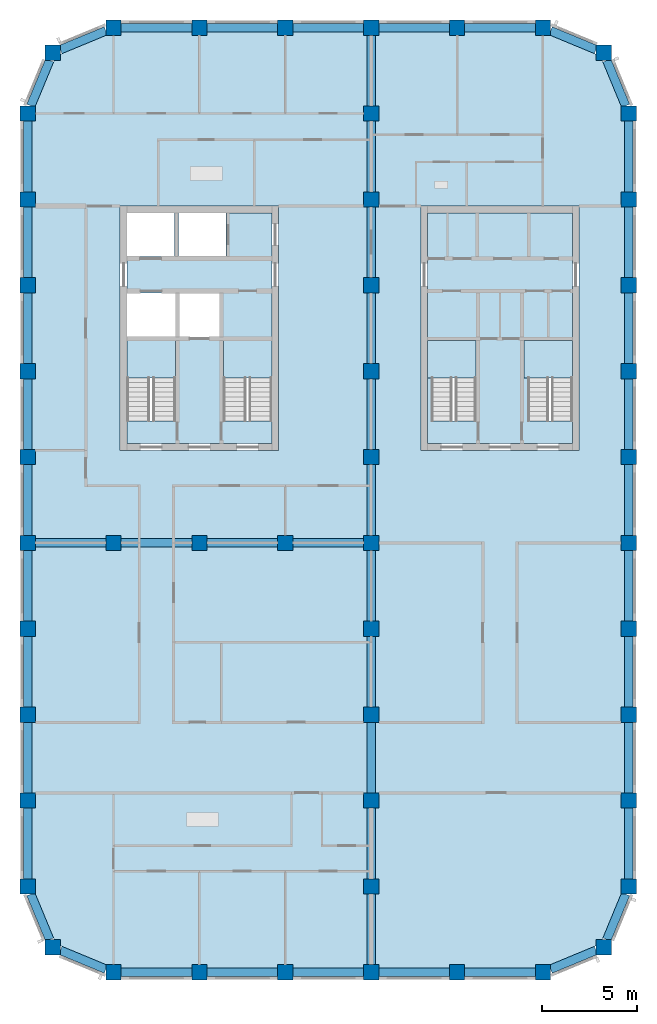
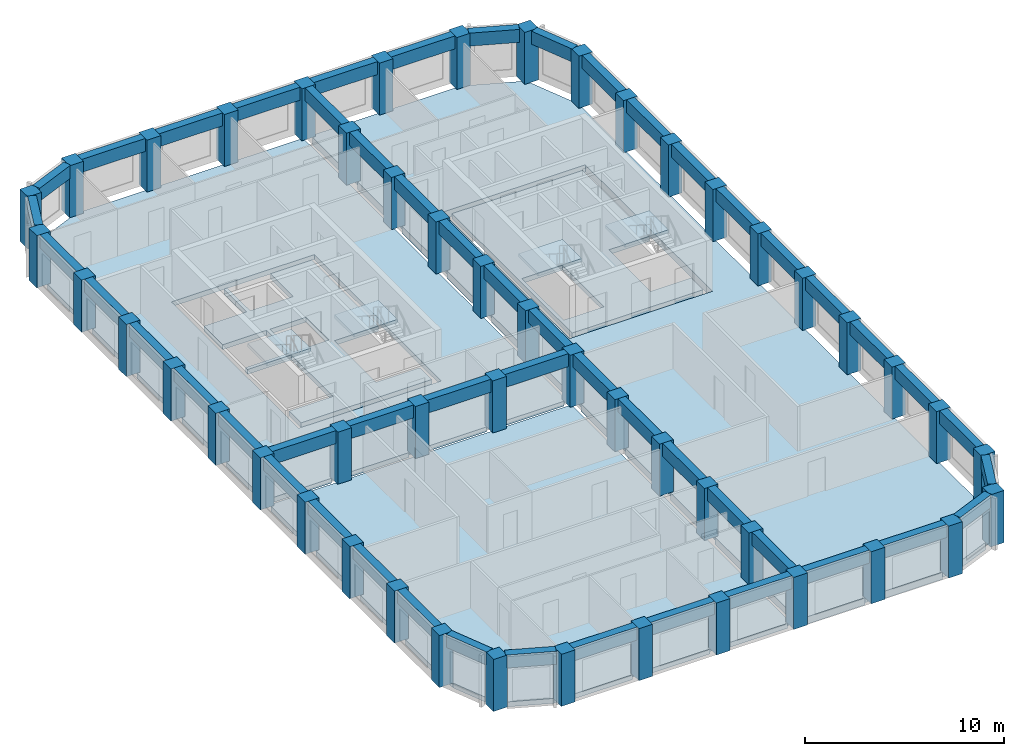
# One storey, part 1 of 9: 51 beams, 49 columns, 9 slabs, 4 elements without a shape of their own.
"""IFC4 building model written with IfcOpenShell, lengths in metres."""

from ifc_helpers import new_model, si_unit, direction, frame, origin, origin_2d, place, context, subcontext, project, spatial, polyline, rectangle, outline, extrude, material, layer, layer_set, material_profile, profile_set, type_object, element, aggregate, save


model = new_model("IFC4")

# Units and contexts
model_context = context("Model", 3, precision=1e-05, world=origin(), true_north=direction((0.0, 1.0)))
body_context = subcontext(model_context, "Body", "Model", "MODEL_VIEW")
ifc_project = project(units=[si_unit("LENGTHUNIT", "METRE"), si_unit("AREAUNIT", "SQUARE_METRE"), si_unit("VOLUMEUNIT", "CUBIC_METRE"), si_unit("PLANEANGLEUNIT", "RADIAN"), si_unit("MASSUNIT", "GRAM", prefix="KILO")], contexts=[model_context])

# Site, building, storey
site_placement = place(None, origin())
site = spatial("IfcSite", under=ifc_project, at=site_placement, CompositionType="ELEMENT")
building_placement = place(site_placement, origin())
building = spatial("IfcBuilding", under=site, at=building_placement, Name="Girih Gate Residences", CompositionType="ELEMENT")
storey_placement = place(building_placement, frame((0.0, 0.0, 182.699951171875)))
storey = spatial("IfcBuildingStorey", under=building, at=storey_placement, Name="L50", CompositionType="ELEMENT", Elevation=182.699951171875)

# Columns
ifc_material_1 = material(Name="Concrete C60/75", Category="concrete")
ifc_material_profile_1 = material_profile(ifc_material_1, rectangle(XDim=0.800048828125, YDim=0.800048828125, at=origin_2d()))
ifc_profile_set_1 = profile_set([ifc_material_profile_1], Name="Concrete C60/75")
column_type = type_object("IfcColumnType", Name="Pier RC 800x800 Concrete C60/75", PredefinedType="COLUMN", material=ifc_profile_set_1)
for number, where, z_axis, x_axis, name in (
    (1, (4.5, 0.0, 0.0), (0.0, 0.0, 1.0), (1.0, 0.0, 0.0), "Pier P2A L50"),
    (2, (9.0, 0.0, 0.0), (0.0, 0.0, 1.0), (1.0, 0.0, 0.0), "Pier P3A L50"),
    (3, (13.5, 0.0, 0.0), (0.0, 0.0, 1.0), (1.0, 0.0, 0.0), "Pier P4A L50"),
    (4, (18.0, 0.0, 0.0), (0.0, 0.0, 1.0), (1.0, 0.0, 0.0), "Pier P5A L50"),
    (5, (22.5, 0.0, 0.0), (0.0, 0.0, 1.0), (1.0, 0.0, 0.0), "Pier P6A L50"),
    (6, (27.0, 0.0, 0.0), (0.0, 0.0, 1.0), (1.0, 0.0, 0.0), "Pier P7A L50"),
    (7, (1.318115234375, 1.318115234375, 0.0), (0.0, 0.0, 1.0), (1.0, 0.0, 0.0), "Pier P1ANE L50"),
    (8, (30.181884765625, 1.318115234375, 0.0), (0.0, 0.0, 1.0), (1.0, 0.0, 0.0), "Pier P8ANW L50"),
    (9, (0.0, 4.5, 0.0), (0.0, 0.0, 1.0), (1.0, 0.0, 0.0), "Pier P1B L50"),
    (10, (18.0, 4.5, 0.0), (0.0, 0.0, 1.0), (1.0, 0.0, 0.0), "Pier P5B L50"),
    (11, (31.5, 4.5, 0.0), (0.0, 0.0, 1.0), (1.0, 0.0, 0.0), "Pier P8B L50"),
    (12, (0.0, 9.0, 0.0), (0.0, 0.0, 1.0), (1.0, 0.0, 0.0), "Pier P1C L50"),
    (13, (18.0, 9.0, 0.0), (0.0, 0.0, 1.0), (1.0, 0.0, 0.0), "Pier P5C L50"),
    (14, (31.5, 9.0, 0.0), (0.0, 0.0, 1.0), (1.0, 0.0, 0.0), "Pier P8C L50"),
    (15, (0.0, 13.5, 0.0), (0.0, 0.0, 1.0), (1.0, 0.0, 0.0), "Pier P1D L50"),
    (16, (18.0, 13.5, 0.0), (0.0, 0.0, 1.0), (1.0, 0.0, 0.0), "Pier P5D L50"),
    (17, (31.5, 13.5, 0.0), (0.0, 0.0, 1.0), (1.0, 0.0, 0.0), "Pier P8D L50"),
    (18, (0.0, 18.0, 0.0), (0.0, 0.0, 1.0), (1.0, 0.0, 0.0), "Pier P1E L50"),
    (19, (18.0, 18.0, 0.0), (0.0, 0.0, 1.0), (1.0, 0.0, 0.0), "Pier P5E L50"),
    (20, (31.5, 18.0, 0.0), (0.0, 0.0, 1.0), (1.0, 0.0, 0.0), "Pier P8E L50"),
    (21, (0.0, 22.5, 0.0), (0.0, 0.0, 1.0), (1.0, 0.0, 0.0), "Pier P1F L50"),
    (22, (4.5, 22.5, 0.0), (0.0, 0.0, 1.0), (1.0, 0.0, 0.0), "Pier P2F L50"),
    (23, (9.0, 22.5, 0.0), (0.0, 0.0, 1.0), (1.0, 0.0, 0.0), "Pier P3F L50"),
    (24, (13.5, 22.5, 0.0), (0.0, 0.0, 1.0), (1.0, 0.0, 0.0), "Pier P4F L50"),
    (25, (18.0, 22.5, 0.0), (0.0, 0.0, 1.0), (1.0, 0.0, 0.0), "Pier P5F L50"),
    (26, (31.5, 22.5, 0.0), (0.0, 0.0, 1.0), (1.0, 0.0, 0.0), "Pier P8F L50"),
    (27, (0.0, 27.0, 0.0), (0.0, 0.0, 1.0), (1.0, 0.0, 0.0), "Pier P1G L50"),
    (28, (18.0, 27.0, 0.0), (0.0, 0.0, 1.0), (1.0, 0.0, 0.0), "Pier P5G L50"),
    (29, (31.5, 27.0, 0.0), (0.0, 0.0, 1.0), (1.0, 0.0, 0.0), "Pier P8G L50"),
    (30, (0.0, 31.5, 0.0), (0.0, 0.0, 1.0), (1.0, 0.0, 0.0), "Pier P1H L50"),
    (31, (18.0, 31.5, 0.0), (0.0, 0.0, 1.0), (1.0, 0.0, 0.0), "Pier P5H L50"),
    (32, (31.5, 31.5, 0.0), (0.0, 0.0, 1.0), (1.0, 0.0, 0.0), "Pier P8H L50"),
    (33, (0.0, 36.0, 0.0), (0.0, 0.0, 1.0), (1.0, 0.0, 0.0), "Pier P1I L50"),
    (34, (18.0, 36.0, 0.0), (0.0, 0.0, 1.0), (1.0, 0.0, 0.0), "Pier P5I L50"),
    (35, (31.5, 36.0, 0.0), (0.0, 0.0, 1.0), (1.0, 0.0, 0.0), "Pier P8I L50"),
    (36, (0.0, 40.5, 0.0), (0.0, 0.0, 1.0), (1.0, 0.0, 0.0), "Pier P1J L50"),
    (37, (18.0, 40.5, 0.0), (0.0, 0.0, 1.0), (1.0, 0.0, 0.0), "Pier P5J L50"),
    (38, (31.5, 40.5, 0.0), (0.0, 0.0, 1.0), (1.0, 0.0, 0.0), "Pier P8J L50"),
    (39, (0.0, 45.0, 0.0), (0.0, 0.0, 1.0), (1.0, 0.0, 0.0), "Pier P1K L50"),
    (40, (18.0, 45.0, 0.0), (0.0, 0.0, 1.0), (1.0, 0.0, 0.0), "Pier P5K L50"),
    (41, (31.5, 45.0, 0.0), (0.0, 0.0, 1.0), (1.0, 0.0, 0.0), "Pier P8K L50"),
    (42, (1.318115234375, 48.181884765625, 0.0), (0.0, 0.0, 1.0), (1.0, 0.0, 0.0), "Pier P1LSE L50"),
    (43, (30.181884765625, 48.181884765625, 0.0), (0.0, 0.0, 1.0), (1.0, 0.0, 0.0), "Pier P8LSW L50"),
    (44, (4.5, 49.5, 0.0), (0.0, 0.0, 1.0), (1.0, 0.0, 0.0), "Pier P2L L50"),
    (45, (9.0, 49.5, 0.0), (0.0, 0.0, 1.0), (1.0, 0.0, 0.0), "Pier P3L L50"),
    (46, (13.5, 49.5, 0.0), (0.0, 0.0, 1.0), (1.0, 0.0, 0.0), "Pier P4L L50"),
    (47, (18.0, 49.5, 0.0), (0.0, 0.0, 1.0), (1.0, 0.0, 0.0), "Pier P5L L50"),
    (48, (22.5, 49.5, 0.0), (0.0, 0.0, 1.0), (1.0, 0.0, 0.0), "Pier P6L L50"),
    (49, (27.0, 49.5, 0.0), (0.0, 0.0, 1.0), (1.0, 0.0, 0.0), "Pier P7L L50"),
):
    element("IfcColumn", number, at=place(storey_placement, frame(where, z_axis=z_axis, x_axis=x_axis)), inside=storey, type_object=column_type, Name=name, PredefinedType="COLUMN", context=body_context, shape_type="SweptSolid", body=[
        extrude(rectangle(XDim=0.800048828125, YDim=0.800048828125, at=origin_2d()), origin(), (0.0, 0.0, 1.0), 3.199951171875),
    ])

# Beams
ifc_material_profile_2 = material_profile(ifc_material_1, rectangle(XDim=0.449951171875, YDim=0.800048828125, at=origin_2d()))
ifc_profile_set_2 = profile_set([ifc_material_profile_2], Name="Concrete C60/75")
beam_type = type_object("IfcBeamType", Name="Spandrel girder RC 450x800 Concrete C60/75", PredefinedType="BEAM", material=ifc_profile_set_2)
for number, where, z_axis, x_axis, name in (
    (50, (27.39990234375, 0.165771484375, 2.800048828125), (0.923895659062, 0.382644497107, 0.0), (-0.382644497107, 0.923895659062, 0.0), "Spandrel girder SP-P7A-P8ANW L50"),
    (51, (30.34765625, 1.718017578125, 2.800048828125), (0.382644497107, 0.923895659062, 0.0), (-0.923895659062, 0.382644497107, 0.0), "Spandrel girder SP-P8ANW-P8B L50"),
):
    element("IfcBeam", number, at=place(storey_placement, frame(where, z_axis=z_axis, x_axis=x_axis)), inside=storey, type_object=beam_type, Name=name, PredefinedType="BEAM", context=body_context, shape_type="SweptSolid", body=[
        extrude(rectangle(XDim=0.449951171875, YDim=0.800048828125, at=origin_2d()), origin(), (0.0, 0.0, 1.0), 2.578369140625),
    ])
for number, where, z_axis, x_axis, name in (
    (52, (31.5, 4.89990234375, 2.800048828125), (0.0, 1.0, 0.0), (-1.0, 0.0, 0.0), "Spandrel girder SP-P8B-P8C L50"),
    (53, (31.5, 9.39990234375, 2.800048828125), (0.0, 1.0, 0.0), (-1.0, 0.0, 0.0), "Spandrel girder SP-P8C-P8D L50"),
    (54, (31.5, 13.89990234375, 2.800048828125), (0.0, 1.0, 0.0), (-1.0, 0.0, 0.0), "Spandrel girder SP-P8D-P8E L50"),
    (55, (31.5, 18.39990234375, 2.800048828125), (0.0, 1.0, 0.0), (-1.0, 0.0, 0.0), "Spandrel girder SP-P8E-P8F L50"),
    (56, (31.5, 22.89990234375, 2.800048828125), (0.0, 1.0, 0.0), (-1.0, 0.0, 0.0), "Spandrel girder SP-P8F-P8G L50"),
    (57, (31.5, 27.39990234375, 2.800048828125), (0.0, 1.0, 0.0), (-1.0, 0.0, 0.0), "Spandrel girder SP-P8G-P8H L50"),
    (58, (31.5, 31.89990234375, 2.800048828125), (0.0, 1.0, 0.0), (-1.0, 0.0, 0.0), "Spandrel girder SP-P8H-P8I L50"),
    (59, (31.5, 36.39990234375, 2.800048828125), (0.0, 1.0, 0.0), (-1.0, 0.0, 0.0), "Spandrel girder SP-P8I-P8J L50"),
    (60, (31.5, 40.89990234375, 2.800048828125), (0.0, 1.0, 0.0), (-1.0, 0.0, 0.0), "Spandrel girder SP-P8J-P8K L50"),
):
    element("IfcBeam", number, at=place(storey_placement, frame(where, z_axis=z_axis, x_axis=x_axis)), inside=storey, type_object=beam_type, Name=name, PredefinedType="BEAM", context=body_context, shape_type="SweptSolid", body=[
        extrude(rectangle(XDim=0.449951171875, YDim=0.800048828125, at=origin_2d()), origin(), (0.0, 0.0, 1.0), 3.7001953125),
    ])
for number, where, z_axis, x_axis, name in (
    (61, (31.334228515625, 45.39990234375, 2.800048828125), (-0.382644497107, 0.923895659062, 0.0), (-0.923895659062, -0.382644497107, 0.0), "Spandrel girder SP-P8K-P8LSW L50"),
    (62, (29.781982421875, 48.34765625, 2.800048828125), (-0.923895659062, 0.382644497107, 0.0), (-0.382644497107, -0.923895659062, 0.0), "Spandrel girder SP-P8LSW-P7L L50"),
):
    element("IfcBeam", number, at=place(storey_placement, frame(where, z_axis=z_axis, x_axis=x_axis)), inside=storey, type_object=beam_type, Name=name, PredefinedType="BEAM", context=body_context, shape_type="SweptSolid", body=[
        extrude(rectangle(XDim=0.449951171875, YDim=0.800048828125, at=origin_2d()), origin(), (0.0, 0.0, 1.0), 2.578369140625),
    ])
for number, where, z_axis, x_axis, name in (
    (63, (26.60009765625, 49.5, 2.800048828125), (-1.0, 0.0, 0.0), (0.0, -1.0, 0.0), "Spandrel girder SP-P7L-P6L L50"),
    (64, (22.10009765625, 49.5, 2.800048828125), (-1.0, 0.0, 0.0), (0.0, -1.0, 0.0), "Spandrel girder SP-P6L-P5L L50"),
    (65, (17.60009765625, 49.5, 2.800048828125), (-1.0, 0.0, 0.0), (0.0, -1.0, 0.0), "Spandrel girder SP-P5L-P4L L50"),
    (66, (13.10009765625, 49.5, 2.800048828125), (-1.0, 0.0, 0.0), (0.0, -1.0, 0.0), "Spandrel girder SP-P4L-P3L L50"),
    (67, (8.60009765625, 49.5, 2.800048828125), (-1.0, 0.0, 0.0), (0.0, -1.0, 0.0), "Spandrel girder SP-P3L-P2L L50"),
):
    element("IfcBeam", number, at=place(storey_placement, frame(where, z_axis=z_axis, x_axis=x_axis)), inside=storey, type_object=beam_type, Name=name, PredefinedType="BEAM", context=body_context, shape_type="SweptSolid", body=[
        extrude(rectangle(XDim=0.449951171875, YDim=0.800048828125, at=origin_2d()), origin(), (0.0, 0.0, 1.0), 3.7001953125),
    ])
for number, where, z_axis, x_axis, name in (
    (68, (4.10009765625, 49.334228515625, 2.800048828125), (-0.923895659062, -0.382644497107, 0.0), (0.382644497107, -0.923895659062, 0.0), "Spandrel girder SP-P2L-P1LSE L50"),
    (69, (1.15234375, 47.781982421875, 2.800048828125), (-0.382644497107, -0.923895659062, 0.0), (0.923895659062, -0.382644497107, 0.0), "Spandrel girder SP-P1LSE-P1K L50"),
):
    element("IfcBeam", number, at=place(storey_placement, frame(where, z_axis=z_axis, x_axis=x_axis)), inside=storey, type_object=beam_type, Name=name, PredefinedType="BEAM", context=body_context, shape_type="SweptSolid", body=[
        extrude(rectangle(XDim=0.449951171875, YDim=0.800048828125, at=origin_2d()), origin(), (0.0, 0.0, 1.0), 2.578369140625),
    ])
for number, where, z_axis, x_axis, name in (
    (70, (0.0, 44.60009765625, 2.800048828125), (0.0, -1.0, 0.0), (1.0, 0.0, 0.0), "Spandrel girder SP-P1K-P1J L50"),
    (71, (0.0, 40.10009765625, 2.800048828125), (0.0, -1.0, 0.0), (1.0, 0.0, 0.0), "Spandrel girder SP-P1J-P1I L50"),
    (72, (0.0, 35.60009765625, 2.800048828125), (0.0, -1.0, 0.0), (1.0, 0.0, 0.0), "Spandrel girder SP-P1I-P1H L50"),
    (73, (0.0, 31.10009765625, 2.800048828125), (0.0, -1.0, 0.0), (1.0, 0.0, 0.0), "Spandrel girder SP-P1H-P1G L50"),
    (74, (0.0, 26.60009765625, 2.800048828125), (0.0, -1.0, 0.0), (1.0, 0.0, 0.0), "Spandrel girder SP-P1G-P1F L50"),
    (75, (0.0, 22.10009765625, 2.800048828125), (0.0, -1.0, 0.0), (1.0, 0.0, 0.0), "Spandrel girder SP-P1F-P1E L50"),
    (76, (0.0, 17.60009765625, 2.800048828125), (0.0, -1.0, 0.0), (1.0, 0.0, 0.0), "Spandrel girder SP-P1E-P1D L50"),
    (77, (0.0, 13.10009765625, 2.800048828125), (0.0, -1.0, 0.0), (1.0, 0.0, 0.0), "Spandrel girder SP-P1D-P1C L50"),
    (78, (0.0, 8.60009765625, 2.800048828125), (0.0, -1.0, 0.0), (1.0, 0.0, 0.0), "Spandrel girder SP-P1C-P1B L50"),
):
    element("IfcBeam", number, at=place(storey_placement, frame(where, z_axis=z_axis, x_axis=x_axis)), inside=storey, type_object=beam_type, Name=name, PredefinedType="BEAM", context=body_context, shape_type="SweptSolid", body=[
        extrude(rectangle(XDim=0.449951171875, YDim=0.800048828125, at=origin_2d()), origin(), (0.0, 0.0, 1.0), 3.7001953125),
    ])
for number, where, z_axis, x_axis, name in (
    (79, (0.165771484375, 4.10009765625, 2.800048828125), (0.382644497107, -0.923895659062, 0.0), (0.923895659062, 0.382644497107, 0.0), "Spandrel girder SP-P1B-P1ANE L50"),
    (80, (1.718017578125, 1.15234375, 2.800048828125), (0.923895659062, -0.382644497107, 0.0), (0.382644497107, 0.923895659062, 0.0), "Spandrel girder SP-P1ANE-P2A L50"),
):
    element("IfcBeam", number, at=place(storey_placement, frame(where, z_axis=z_axis, x_axis=x_axis)), inside=storey, type_object=beam_type, Name=name, PredefinedType="BEAM", context=body_context, shape_type="SweptSolid", body=[
        extrude(rectangle(XDim=0.449951171875, YDim=0.800048828125, at=origin_2d()), origin(), (0.0, 0.0, 1.0), 2.578369140625),
    ])
for number, where, z_axis, x_axis, name in (
    (81, (4.89990234375, 0.0, 2.800048828125), (1.0, 0.0, 0.0), (0.0, 1.0, 0.0), "Spandrel girder SP-P2A-P3A L50"),
    (82, (9.39990234375, 0.0, 2.800048828125), (1.0, 0.0, 0.0), (0.0, 1.0, 0.0), "Spandrel girder SP-P3A-P4A L50"),
    (83, (13.89990234375, 0.0, 2.800048828125), (1.0, 0.0, 0.0), (0.0, 1.0, 0.0), "Spandrel girder SP-P4A-P5A L50"),
    (84, (18.39990234375, 0.0, 2.800048828125), (1.0, 0.0, 0.0), (0.0, 1.0, 0.0), "Spandrel girder SP-P5A-P6A L50"),
    (85, (22.89990234375, 0.0, 2.800048828125), (1.0, 0.0, 0.0), (0.0, 1.0, 0.0), "Spandrel girder SP-P6A-P7A L50"),
    (86, (18.0, 0.39990234375, 2.800048828125), (0.0, 1.0, 0.0), (-1.0, 0.0, 0.0), "Spandrel girder SP-P5A-P5B L50"),
    (87, (18.0, 4.89990234375, 2.800048828125), (0.0, 1.0, 0.0), (-1.0, 0.0, 0.0), "Spandrel girder SP-P5B-P5C L50"),
    (88, (18.0, 9.39990234375, 2.800048828125), (0.0, 1.0, 0.0), (-1.0, 0.0, 0.0), "Spandrel girder SP-P5C-P5D L50"),
    (89, (18.0, 13.89990234375, 2.800048828125), (0.0, 1.0, 0.0), (-1.0, 0.0, 0.0), "Spandrel girder SP-P5D-P5E L50"),
    (90, (18.0, 18.39990234375, 2.800048828125), (0.0, 1.0, 0.0), (-1.0, 0.0, 0.0), "Spandrel girder SP-P5E-P5F L50"),
    (91, (18.0, 22.89990234375, 2.800048828125), (0.0, 1.0, 0.0), (-1.0, 0.0, 0.0), "Spandrel girder SP-P5F-P5G L50"),
    (92, (18.0, 27.39990234375, 2.800048828125), (0.0, 1.0, 0.0), (-1.0, 0.0, 0.0), "Spandrel girder SP-P5G-P5H L50"),
    (93, (18.0, 31.89990234375, 2.800048828125), (0.0, 1.0, 0.0), (-1.0, 0.0, 0.0), "Spandrel girder SP-P5H-P5I L50"),
    (94, (18.0, 36.39990234375, 2.800048828125), (0.0, 1.0, 0.0), (-1.0, 0.0, 0.0), "Spandrel girder SP-P5I-P5J L50"),
    (95, (18.0, 40.89990234375, 2.800048828125), (0.0, 1.0, 0.0), (-1.0, 0.0, 0.0), "Spandrel girder SP-P5J-P5K L50"),
    (96, (18.0, 45.39990234375, 2.800048828125), (0.0, 1.0, 0.0), (-1.0, 0.0, 0.0), "Spandrel girder SP-P5K-P5L L50"),
    (97, (0.39990234375, 22.5, 2.800048828125), (1.0, 0.0, 0.0), (0.0, 1.0, 0.0), "Spandrel girder SP-P1F-P2F L50"),
    (98, (4.89990234375, 22.5, 2.800048828125), (1.0, 0.0, 0.0), (0.0, 1.0, 0.0), "Spandrel girder SP-P2F-P3F L50"),
    (99, (9.39990234375, 22.5, 2.800048828125), (1.0, 0.0, 0.0), (0.0, 1.0, 0.0), "Spandrel girder SP-P3F-P4F L50"),
    (100, (13.89990234375, 22.5, 2.800048828125), (1.0, 0.0, 0.0), (0.0, 1.0, 0.0), "Spandrel girder SP-P4F-P5F L50"),
):
    element("IfcBeam", number, at=place(storey_placement, frame(where, z_axis=z_axis, x_axis=x_axis)), inside=storey, type_object=beam_type, Name=name, PredefinedType="BEAM", context=body_context, shape_type="SweptSolid", body=[
        extrude(rectangle(XDim=0.449951171875, YDim=0.800048828125, at=origin_2d()), origin(), (0.0, 0.0, 1.0), 3.7001953125),
    ])

# Slabs
ifc_material_2 = material(Name="Concrete C40/50", Category="concrete")
ifc_layer_1 = layer(ifc_material_2, 0.300048828125)
ifc_layer_set_1 = layer_set([ifc_layer_1], Name="Core floor slab 300")
slab_type_1 = type_object("IfcSlabType", Name="Core floor slab 300", PredefinedType="FLOOR", material=ifc_layer_set_1)
slab_1_placement = place(storey_placement, frame((0.0, 0.0, -0.300048828125)))
element("IfcSlab", 101, at=slab_1_placement, inside=storey, type_object=slab_type_1, Name="L50 W core floor", PredefinedType="FLOOR", context=body_context, shape_type="SweptSolid", body=[
    extrude(outline(polyline([(12.800048828125, 27.699951171875), (5.199951171875, 27.699951171875), (5.199951171875, 28.900634765625), (7.75, 28.900634765625), (7.75, 33.10009765625), (5.199951171875, 33.10009765625), (5.199951171875, 33.300048828125), (7.75, 33.300048828125), (7.75, 35.60009765625), (5.199951171875, 35.60009765625), (5.199951171875, 37.5), (7.699951171875, 37.5), (7.699951171875, 39.800048828125), (7.89990234375, 39.800048828125), (7.89990234375, 37.5), (10.39990234375, 37.5), (10.39990234375, 39.800048828125), (12.800048828125, 39.800048828125), (12.800048828125, 33.10009765625), (10.25, 33.10009765625), (10.25, 28.900634765625), (12.800048828125, 28.900634765625), (12.800048828125, 27.699951171875)]), holes=[polyline([(7.949951171875, 33.300048828125), (10.050048828125, 33.300048828125), (10.050048828125, 35.60009765625), (7.949951171875, 35.60009765625), (7.949951171875, 33.300048828125)])]), origin(), (0.0, 0.0, 1.0), 0.300048828125),
])
slab_2_placement = place(storey_placement, frame((0.0, 0.0, -0.300048828125)))
element("IfcSlab", 102, at=slab_2_placement, inside=storey, type_object=slab_type_1, Name="L50 C core floor", PredefinedType="FLOOR", context=body_context, shape_type="SweptSolid", body=[
    extrude(outline(polyline([(28.550048828125, 27.699951171875), (20.949951171875, 27.699951171875), (20.949951171875, 39.800048828125), (28.550048828125, 39.800048828125), (28.550048828125, 33.10009765625), (26.199951171875, 33.10009765625), (26.199951171875, 28.900634765625), (28.550048828125, 28.900634765625), (28.550048828125, 27.699951171875)]), holes=[polyline([(23.5, 28.900634765625), (23.5, 33.10009765625), (21.14990234375, 33.10009765625), (21.14990234375, 28.900634765625), (23.5, 28.900634765625)])]), origin(), (0.0, 0.0, 1.0), 0.300048828125),
])
ifc_layer_2 = layer(ifc_material_2, 0.300048828125)
ifc_layer_set_2 = layer_set([ifc_layer_2], Name="Floor slab PT 300 Concrete C40/50")
slab_type_2 = type_object("IfcSlabType", Name="Floor slab PT 300 Concrete C40/50", PredefinedType="FLOOR", material=ifc_layer_set_2)
slab_3_placement = place(storey_placement, frame((0.0, 0.0, -0.300048828125)))
element("IfcSlab", 103, at=slab_3_placement, inside=storey, type_object=slab_type_2, Name="Floor slab L50 0", PredefinedType="FLOOR", context=body_context, shape_type="SweptSolid", body=[
    extrude(outline(polyline([(13.89990234375, 0.22509765625), (17.60009765625, 0.22509765625), (17.60009765625, 0.39990234375), (17.77490234375, 0.39990234375), (17.77490234375, 4.10009765625), (17.60009765625, 4.10009765625), (17.60009765625, 4.89990234375), (17.77490234375, 4.89990234375), (17.77490234375, 8.60009765625), (17.60009765625, 8.60009765625), (17.60009765625, 9.39990234375), (17.77490234375, 9.39990234375), (17.77490234375, 13.10009765625), (17.60009765625, 13.10009765625), (17.60009765625, 13.89990234375), (17.77490234375, 13.89990234375), (17.77490234375, 17.60009765625), (17.60009765625, 17.60009765625), (17.60009765625, 18.39990234375), (17.77490234375, 18.39990234375), (17.77490234375, 22.10009765625), (17.60009765625, 22.10009765625), (17.60009765625, 22.27490234375), (13.89990234375, 22.27490234375), (13.89990234375, 22.10009765625), (13.10009765625, 22.10009765625), (13.10009765625, 22.27490234375), (9.39990234375, 22.27490234375), (9.39990234375, 22.10009765625), (8.60009765625, 22.10009765625), (8.60009765625, 22.27490234375), (4.89990234375, 22.27490234375), (4.89990234375, 22.10009765625), (4.10009765625, 22.10009765625), (4.10009765625, 22.27490234375), (0.39990234375, 22.27490234375), (0.39990234375, 22.10009765625), (0.22509765625, 22.10009765625), (0.22509765625, 18.39990234375), (0.39990234375, 18.39990234375), (0.39990234375, 17.60009765625), (0.22509765625, 17.60009765625), (0.22509765625, 13.89990234375), (0.39990234375, 13.89990234375), (0.39990234375, 13.10009765625), (0.22509765625, 13.10009765625), (0.22509765625, 9.39990234375), (0.39990234375, 9.39990234375), (0.39990234375, 8.60009765625), (0.22509765625, 8.60009765625), (0.22509765625, 4.89990234375), (0.39990234375, 4.89990234375), (0.39990234375, 4.122314453125), (1.395751953125, 1.718017578125), (1.718017578125, 1.718017578125), (1.718017578125, 1.395751953125), (4.122314453125, 0.39990234375), (4.89990234375, 0.39990234375), (4.89990234375, 0.22509765625), (8.60009765625, 0.22509765625), (8.60009765625, 0.39990234375), (9.39990234375, 0.39990234375), (9.39990234375, 0.22509765625), (13.10009765625, 0.22509765625), (13.10009765625, 0.39990234375), (13.89990234375, 0.39990234375), (13.89990234375, 0.22509765625)])), origin(), (0.0, 0.0, 1.0), 0.300048828125),
])
slab_4_placement = place(storey_placement, frame((0.0, 0.0, -0.300048828125)))
element("IfcSlab", 104, at=slab_4_placement, inside=storey, type_object=slab_type_2, Name="Floor slab L50 2", PredefinedType="FLOOR", context=body_context, shape_type="SweptSolid", body=[
    extrude(outline(polyline([(0.22509765625, 26.60009765625), (0.22509765625, 22.89990234375), (0.39990234375, 22.89990234375), (0.39990234375, 22.72509765625), (4.10009765625, 22.72509765625), (4.10009765625, 22.89990234375), (4.89990234375, 22.89990234375), (4.89990234375, 22.72509765625), (8.60009765625, 22.72509765625), (8.60009765625, 22.89990234375), (9.39990234375, 22.89990234375), (9.39990234375, 22.72509765625), (13.10009765625, 22.72509765625), (13.10009765625, 22.89990234375), (13.89990234375, 22.89990234375), (13.89990234375, 22.72509765625), (17.60009765625, 22.72509765625), (17.60009765625, 22.89990234375), (17.77490234375, 22.89990234375), (17.77490234375, 26.60009765625), (17.60009765625, 26.60009765625), (17.60009765625, 27.39990234375), (17.77490234375, 27.39990234375), (17.77490234375, 31.10009765625), (17.60009765625, 31.10009765625), (17.60009765625, 31.89990234375), (17.77490234375, 31.89990234375), (17.77490234375, 35.60009765625), (17.60009765625, 35.60009765625), (17.60009765625, 36.39990234375), (17.77490234375, 36.39990234375), (17.77490234375, 40.10009765625), (17.60009765625, 40.10009765625), (17.60009765625, 40.89990234375), (17.77490234375, 40.89990234375), (17.77490234375, 44.60009765625), (17.60009765625, 44.60009765625), (17.60009765625, 45.39990234375), (17.77490234375, 45.39990234375), (17.77490234375, 49.10009765625), (17.60009765625, 49.10009765625), (17.60009765625, 49.27490234375), (13.89990234375, 49.27490234375), (13.89990234375, 49.10009765625), (13.10009765625, 49.10009765625), (13.10009765625, 49.27490234375), (9.39990234375, 49.27490234375), (9.39990234375, 49.10009765625), (8.60009765625, 49.10009765625), (8.60009765625, 49.27490234375), (4.89990234375, 49.27490234375), (4.89990234375, 49.10009765625), (4.122314453125, 49.10009765625), (1.718017578125, 48.104248046875), (1.718017578125, 47.781982421875), (1.395751953125, 47.781982421875), (0.39990234375, 45.377685546875), (0.39990234375, 44.60009765625), (0.22509765625, 44.60009765625), (0.22509765625, 40.89990234375), (0.39990234375, 40.89990234375), (0.39990234375, 40.10009765625), (0.22509765625, 40.10009765625), (0.22509765625, 36.39990234375), (0.39990234375, 36.39990234375), (0.39990234375, 35.60009765625), (0.22509765625, 35.60009765625), (0.22509765625, 31.89990234375), (0.39990234375, 31.89990234375), (0.39990234375, 31.10009765625), (0.22509765625, 31.10009765625), (0.22509765625, 27.39990234375), (0.39990234375, 27.39990234375), (0.39990234375, 26.60009765625), (0.22509765625, 26.60009765625)]), holes=[polyline([(13.14990234375, 40.14990234375), (13.14990234375, 27.35009765625), (4.85009765625, 27.35009765625), (4.85009765625, 40.14990234375), (13.14990234375, 40.14990234375)])]), origin(), (0.0, 0.0, 1.0), 0.300048828125),
])
ifc_layer_3 = layer(ifc_material_2, 0.449951171875)
ifc_layer_set_3 = layer_set([ifc_layer_3], Name="Floor slab PT 450 Concrete C40/50")
slab_type_3 = type_object("IfcSlabType", Name="Floor slab PT 450 Concrete C40/50", PredefinedType="FLOOR", material=ifc_layer_set_3)
slab_5_placement = place(storey_placement, frame((0.0, 0.0, -0.449951171875)))
element("IfcSlab", 105, at=slab_5_placement, inside=storey, type_object=slab_type_3, Name="Floor slab L50 1", PredefinedType="FLOOR", context=body_context, shape_type="SweptSolid", body=[
    extrude(outline(polyline([(22.89990234375, 0.22509765625), (26.60009765625, 0.22509765625), (26.60009765625, 0.39990234375), (27.377685546875, 0.39990234375), (29.781982421875, 1.395751953125), (29.781982421875, 1.718017578125), (30.104248046875, 1.718017578125), (31.10009765625, 4.122314453125), (31.10009765625, 4.89990234375), (31.27490234375, 4.89990234375), (31.27490234375, 8.60009765625), (31.10009765625, 8.60009765625), (31.10009765625, 9.39990234375), (31.27490234375, 9.39990234375), (31.27490234375, 13.10009765625), (31.10009765625, 13.10009765625), (31.10009765625, 13.89990234375), (31.27490234375, 13.89990234375), (31.27490234375, 17.60009765625), (31.10009765625, 17.60009765625), (31.10009765625, 18.39990234375), (31.27490234375, 18.39990234375), (31.27490234375, 22.10009765625), (31.10009765625, 22.10009765625), (31.10009765625, 22.89990234375), (31.27490234375, 22.89990234375), (31.27490234375, 26.60009765625), (31.10009765625, 26.60009765625), (31.10009765625, 27.39990234375), (31.27490234375, 27.39990234375), (31.27490234375, 31.10009765625), (31.10009765625, 31.10009765625), (31.10009765625, 31.89990234375), (31.27490234375, 31.89990234375), (31.27490234375, 35.60009765625), (31.10009765625, 35.60009765625), (31.10009765625, 36.39990234375), (31.27490234375, 36.39990234375), (31.27490234375, 40.10009765625), (31.10009765625, 40.10009765625), (31.10009765625, 40.89990234375), (31.27490234375, 40.89990234375), (31.27490234375, 44.60009765625), (31.10009765625, 44.60009765625), (31.10009765625, 45.377685546875), (30.104248046875, 47.781982421875), (29.781982421875, 47.781982421875), (29.781982421875, 48.104248046875), (27.377685546875, 49.10009765625), (26.60009765625, 49.10009765625), (26.60009765625, 49.27490234375), (22.89990234375, 49.27490234375), (22.89990234375, 49.10009765625), (22.10009765625, 49.10009765625), (22.10009765625, 49.27490234375), (18.39990234375, 49.27490234375), (18.39990234375, 49.10009765625), (18.22509765625, 49.10009765625), (18.22509765625, 45.39990234375), (18.39990234375, 45.39990234375), (18.39990234375, 44.60009765625), (18.22509765625, 44.60009765625), (18.22509765625, 40.89990234375), (18.39990234375, 40.89990234375), (18.39990234375, 40.10009765625), (18.22509765625, 40.10009765625), (18.22509765625, 36.39990234375), (18.39990234375, 36.39990234375), (18.39990234375, 35.60009765625), (18.22509765625, 35.60009765625), (18.22509765625, 31.89990234375), (18.39990234375, 31.89990234375), (18.39990234375, 31.10009765625), (18.22509765625, 31.10009765625), (18.22509765625, 27.39990234375), (18.39990234375, 27.39990234375), (18.39990234375, 26.60009765625), (18.22509765625, 26.60009765625), (18.22509765625, 22.89990234375), (18.39990234375, 22.89990234375), (18.39990234375, 22.10009765625), (18.22509765625, 22.10009765625), (18.22509765625, 18.39990234375), (18.39990234375, 18.39990234375), (18.39990234375, 17.60009765625), (18.22509765625, 17.60009765625), (18.22509765625, 13.89990234375), (18.39990234375, 13.89990234375), (18.39990234375, 13.10009765625), (18.22509765625, 13.10009765625), (18.22509765625, 9.39990234375), (18.39990234375, 9.39990234375), (18.39990234375, 8.60009765625), (18.22509765625, 8.60009765625), (18.22509765625, 4.89990234375), (18.39990234375, 4.89990234375), (18.39990234375, 4.10009765625), (18.22509765625, 4.10009765625), (18.22509765625, 0.39990234375), (18.39990234375, 0.39990234375), (18.39990234375, 0.22509765625), (22.10009765625, 0.22509765625), (22.10009765625, 0.39990234375), (22.89990234375, 0.39990234375), (22.89990234375, 0.22509765625)]), holes=[polyline([(28.89990234375, 40.14990234375), (28.89990234375, 27.35009765625), (20.60009765625, 27.35009765625), (20.60009765625, 40.14990234375), (28.89990234375, 40.14990234375)])]), origin(), (0.0, 0.0, 1.0), 0.449951171875),
])

# Stair, slab
stair_type_1 = type_object("IfcStairType", Name="Exit stair", PredefinedType="HALF_TURN_STAIR", material=ifc_material_2)
stair_1_placement = place(storey_placement, origin())
stair_1 = element("IfcStair", 106, at=stair_1_placement, inside=storey, type_object=stair_type_1, Name="L50 Exit Stair ST-W1", PredefinedType="HALF_TURN_STAIR")
ifc_layer_4 = layer(ifc_material_2, 0.199951171875)
ifc_layer_set_4 = layer_set([ifc_layer_4], Name="Stair landing 200")
slab_type_4 = type_object("IfcSlabType", Name="Stair landing 200", PredefinedType="LANDING", material=ifc_layer_set_4)
slab_6_placement = place(storey_placement, frame((0.0, 0.0, 1.400146484375)))
slab_6 = element("IfcSlab", 107, at=slab_6_placement, type_object=slab_type_4, Name="ST-W1 landing 1", PredefinedType="LANDING", context=body_context, shape_type="SweptSolid", body=[
    extrude(outline(polyline([(7.75, 31.14990234375), (7.75, 33.10009765625), (5.199951171875, 33.10009765625), (5.199951171875, 31.14990234375), (7.75, 31.14990234375)])), origin(), (0.0, 0.0, 1.0), 0.199951171875),
])
aggregate(stair_1, [slab_6])

stair_2_placement = place(storey_placement, origin())
stair_2 = element("IfcStair", 108, at=stair_2_placement, inside=storey, type_object=stair_type_1, Name="L50 Exit Stair ST-W2", PredefinedType="HALF_TURN_STAIR")
slab_7_placement = place(storey_placement, frame((0.0, 0.0, 1.400146484375)))
slab_7 = element("IfcSlab", 109, at=slab_7_placement, type_object=slab_type_4, Name="ST-W2 landing 1", PredefinedType="LANDING", context=body_context, shape_type="SweptSolid", body=[
    extrude(outline(polyline([(12.800048828125, 31.14990234375), (12.800048828125, 33.10009765625), (10.25, 33.10009765625), (10.25, 31.14990234375), (12.800048828125, 31.14990234375)])), origin(), (0.0, 0.0, 1.0), 0.199951171875),
])
aggregate(stair_2, [slab_7])

stair_type_2 = type_object("IfcStairType", Name="Exit stair C core", PredefinedType="HALF_TURN_STAIR", material=ifc_material_2)
stair_3_placement = place(storey_placement, origin())
stair_3 = element("IfcStair", 110, at=stair_3_placement, inside=storey, type_object=stair_type_2, Name="L50 Exit Stair ST-C1", PredefinedType="HALF_TURN_STAIR")
slab_8_placement = place(storey_placement, frame((0.0, 0.0, 1.400146484375)))
slab_8 = element("IfcSlab", 111, at=slab_8_placement, type_object=slab_type_4, Name="ST-C1 landing 1", PredefinedType="LANDING", context=body_context, shape_type="SweptSolid", body=[
    extrude(outline(polyline([(23.5, 31.14990234375), (23.5, 33.10009765625), (20.949951171875, 33.10009765625), (20.949951171875, 31.14990234375), (23.5, 31.14990234375)])), origin(), (0.0, 0.0, 1.0), 0.199951171875),
])
aggregate(stair_3, [slab_8])

stair_4_placement = place(storey_placement, origin())
stair_4 = element("IfcStair", 112, at=stair_4_placement, inside=storey, type_object=stair_type_2, Name="L50 Exit Stair ST-C2", PredefinedType="HALF_TURN_STAIR")
slab_9_placement = place(storey_placement, frame((0.0, 0.0, 1.400146484375)))
slab_9 = element("IfcSlab", 113, at=slab_9_placement, type_object=slab_type_4, Name="ST-C2 landing 1", PredefinedType="LANDING", context=body_context, shape_type="SweptSolid", body=[
    extrude(outline(polyline([(28.550048828125, 31.14990234375), (28.550048828125, 33.10009765625), (26.0, 33.10009765625), (26.0, 31.14990234375), (28.550048828125, 31.14990234375)])), origin(), (0.0, 0.0, 1.0), 0.199951171875),
])
aggregate(stair_4, [slab_9])

save(model, "model.ifc")
